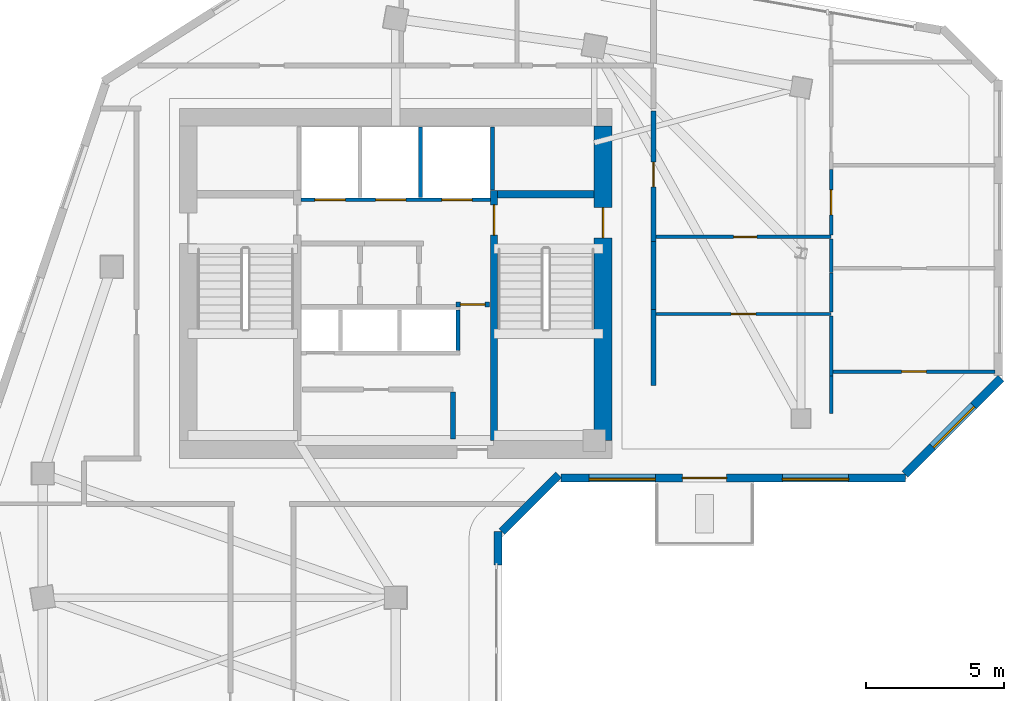
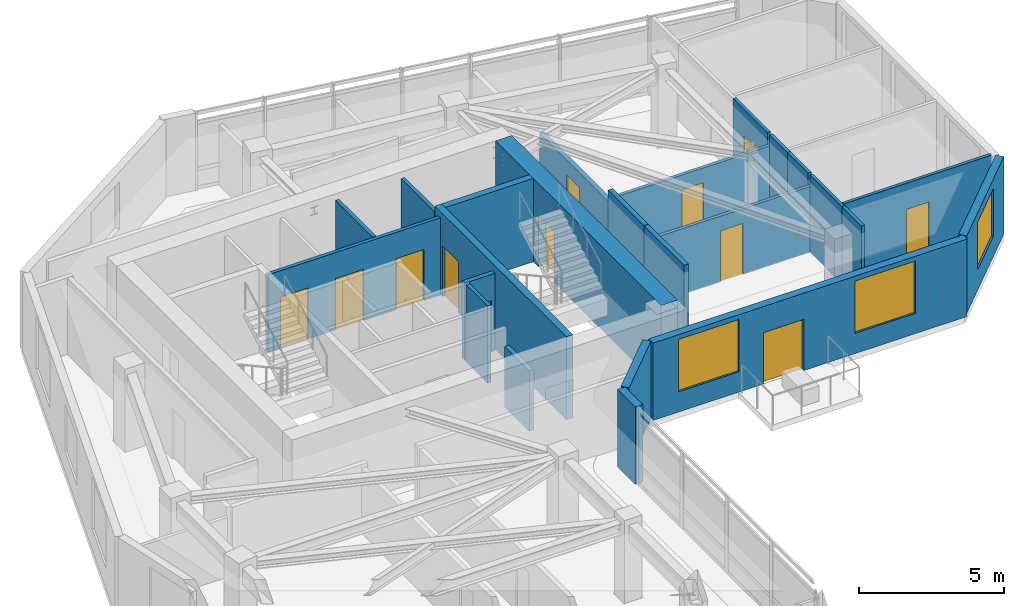
# One storey, part 5 of 9: 24 walls, 12 doors, 3 windows, 15 openings.
"""IFC4 building model written with IfcOpenShell, lengths in metres."""

from ifc_helpers import new_model, si_unit, direction, frame, frame_2d, origin, place, context, subcontext, project, spatial, rectangle, extrude, source, transform, mapped, material, layer, layer_set, type_object, element, fill, save


model = new_model("IFC4")

# Units and contexts
model_context = context("Model", 3, precision=1e-05, world=origin(), true_north=direction((0.0, 1.0)))
body_context = subcontext(model_context, "Body", "Model", "MODEL_VIEW")
ifc_project = project(units=[si_unit("LENGTHUNIT", "METRE"), si_unit("AREAUNIT", "SQUARE_METRE"), si_unit("VOLUMEUNIT", "CUBIC_METRE"), si_unit("PLANEANGLEUNIT", "RADIAN"), si_unit("MASSUNIT", "GRAM", prefix="KILO")], contexts=[model_context])

# Site, building, storey
site_placement = place(None, origin())
site = spatial("IfcSite", under=ifc_project, at=site_placement, CompositionType="ELEMENT")
building_placement = place(site_placement, origin())
building = spatial("IfcBuilding", under=site, at=building_placement, Name="Calvemar Wedge Station Tower", CompositionType="ELEMENT")
storey_placement = place(building_placement, frame((0.0, 0.0, 228.89990234375)))
storey = spatial("IfcBuildingStorey", under=building, at=storey_placement, Name="L58", CompositionType="ELEMENT", Elevation=228.89990234375)

# Wall, opening, door
ifc_material_1 = material(Name="Concrete C50", Category="concrete")
ifc_layer_1 = layer(ifc_material_1, 0.260009765625)
ifc_layer_set_1 = layer_set([ifc_layer_1], Name="Concrete C50")
wall_type_1 = type_object("IfcWallType", Name="SW-CORE-260", PredefinedType="SHEAR", material=ifc_layer_set_1)
wall_1_placement = place(storey_placement, frame((27.3701171875, 34.199951171875, 0.0), z_axis=(0.0, 0.0, 1.0), x_axis=(0.0, 1.0, 0.0)))
wall_1 = element("IfcWall", 1, at=wall_1_placement, inside=storey, type_object=wall_type_1, Name="Storey L58 Core Shear Wall SPINE-E", PredefinedType="SHEAR", context=body_context, shape_type="SweptSolid", body=[
    extrude(rectangle(XDim=9.06005859375, YDim=0.260009765625, at=frame_2d((4.530029296875, 0.0))), origin(), (0.0, 0.0, 1.0), 3.5),
])
shared_shape_1 = source(origin(), body_context, "Body", "SweptSolid", [
    extrude(rectangle(XDim=1.10009765625, YDim=2.14990234375, at=frame_2d((0.550048828125, 1.074951171875))), frame((0.0, 0.14013671875, 0.0), z_axis=(0.0, -1.0, 0.0), x_axis=(1.0, 0.0, 0.0)), (0.0, 0.0, 1.0), 0.280029296875),
])
opening_1_placement = place(wall_1_placement, frame((7.449951171875, 0.0, 0.0)))
opening_1 = element("IfcOpeningElement", 2, at=opening_1_placement, cuts=wall_1, Name="Opening FD-90", PredefinedType="OPENING", context=body_context, shape_type="MappedRepresentation", body=[
    mapped(shared_shape_1, transform((0.0, 0.0, 0.0), scale=1.0)),
])
ifc_material_2 = material(Name="Galvanized fire-rated steel door leaf P-90", Category="steel")
door_type_1 = type_object("IfcDoorType", Name="DR-FD90-1100", OperationType="NOTDEFINED", PredefinedType="DOOR", material=ifc_material_2)
shared_shape_2 = source(origin(), body_context, "Body", "SweptSolid", [
    extrude(rectangle(XDim=1.10009765625, YDim=2.14990234375, at=frame_2d((0.550048828125, 1.074951171875))), frame((0.0, 0.02490234375, 0.0), z_axis=(0.0, -1.0, 0.0), x_axis=(1.0, 0.0, 0.0)), (0.0, 0.0, 1.0), 0.050048828125),
])
door_1_placement = place(opening_1_placement, origin())
door_1 = element("IfcDoor", 3, at=door_1_placement, inside=storey, type_object=door_type_1, Name="L58 FF Lobby to Stair ST-C2 Door", OperationType="SINGLE_SWING_LEFT", OverallHeight=2.14990234375, OverallWidth=1.10009765625, PredefinedType="DOOR", context=body_context, shape_type="MappedRepresentation", body=[
    mapped(shared_shape_2, transform((0.0, 0.0, 0.0), scale=1.0)),
])
fill(opening_1, door_1)

# Wall
wall_2_placement = place(storey_placement, frame((27.5, 43.1298828125, 0.0), z_axis=(0.0, 0.0, 1.0), x_axis=(1.0, 0.0, 0.0)))
element("IfcWall", 4, at=wall_2_placement, inside=storey, type_object=wall_type_1, Name="Storey L58 Core Shear Wall STC2-N", PredefinedType="SHEAR", context=body_context, shape_type="SweptSolid", body=[
    extrude(rectangle(XDim=3.5, YDim=0.260009765625, at=frame_2d((1.75, 0.0))), origin(), (0.0, 0.0, 1.0), 3.5),
])

# Wall, opening, door
ifc_material_3 = material(Name="Concrete C60", Category="concrete")
ifc_layer_2 = layer(ifc_material_3, 0.64990234375)
ifc_layer_set_2 = layer_set([ifc_layer_2], Name="Concrete C60")
wall_type_2 = type_object("IfcWallType", Name="SW-CORE-650", PredefinedType="SHEAR", material=ifc_layer_set_2)
wall_3_placement = place(storey_placement, frame((31.324951171875, 34.199951171875, 0.0), z_axis=(0.0, 0.0, 1.0), x_axis=(0.0, 1.0, 0.0)))
wall_3 = element("IfcWall", 5, at=wall_3_placement, inside=storey, type_object=wall_type_2, Name="Storey L58 Core Shear Wall E", PredefinedType="SHEAR", context=body_context, shape_type="SweptSolid", body=[
    extrude(rectangle(XDim=11.400146484375, YDim=0.64990234375, at=frame_2d((5.7001953125, 0.0))), origin(), (0.0, 0.0, 1.0), 3.5),
])
shared_shape_3 = source(origin(), body_context, "Body", "SweptSolid", [
    extrude(rectangle(XDim=1.10009765625, YDim=2.14990234375, at=frame_2d((0.550048828125, 1.074951171875))), frame((0.0, 0.3349609375, 0.0), z_axis=(0.0, -1.0, 0.0), x_axis=(1.0, 0.0, 0.0)), (0.0, 0.0, 1.0), 0.669921875),
])
opening_2_placement = place(wall_3_placement, frame((7.35009765625, 0.0, 0.0)))
opening_2 = element("IfcOpeningElement", 6, at=opening_2_placement, cuts=wall_3, Name="Opening FD-90", PredefinedType="OPENING", context=body_context, shape_type="MappedRepresentation", body=[
    mapped(shared_shape_3, transform((0.0, 0.0, 0.0), scale=1.0)),
])
door_2_placement = place(opening_2_placement, origin())
door_2 = element("IfcDoor", 7, at=door_2_placement, inside=storey, type_object=door_type_1, Name="L58 East Corridor to Exit Stair ST-C2 Door", OperationType="SINGLE_SWING_LEFT", OverallHeight=2.14990234375, OverallWidth=1.10009765625, PredefinedType="DOOR", context=body_context, shape_type="MappedRepresentation", body=[
    mapped(shared_shape_2, transform((0.0, 0.0, 0.0), scale=1.0)),
])
fill(opening_2, door_2)

ifc_material_4 = material(Name="Double-stud fire-rated corridor partition")
ifc_layer_3 = layer(ifc_material_4, 0.179931640625)
ifc_layer_set_3 = layer_set([ifc_layer_3], Name="Double-stud fire-rated corridor partition")
wall_type_3 = type_object("IfcWallType", Name="W-CORR-180", PredefinedType="PARTITIONING", material=ifc_layer_set_3)
wall_4_placement = place(storey_placement, frame((27.199951171875, 39.1298828125, 0.0), z_axis=(0.0, 0.0, 1.0), x_axis=(-1.0, 0.0, 0.0)))
wall_4 = element("IfcWall", 8, at=wall_4_placement, inside=storey, type_object=wall_type_3, Name="Storey L58 Interior Partition WL-L58-005", PredefinedType="PARTITIONING", context=body_context, shape_type="SweptSolid", body=[
    extrude(rectangle(XDim=1.2099609375, YDim=0.179931640625, at=frame_2d((0.60498046875, 0.0))), origin(), (0.0, 0.0, 1.0), 3.25),
])
shared_shape_4 = source(origin(), body_context, "Body", "SweptSolid", [
    extrude(rectangle(XDim=0.89990234375, YDim=2.14990234375, at=frame_2d((0.449951171875, 1.074951171875))), frame((0.0, 0.10009765625, 0.0), z_axis=(0.0, -1.0, 0.0), x_axis=(1.0, 0.0, 0.0)), (0.0, 0.0, 1.0), 0.199951171875),
])
opening_3_placement = place(wall_4_placement, frame((0.155029296875, 0.0, 0.0)))
opening_3 = element("IfcOpeningElement", 9, at=opening_3_placement, cuts=wall_4, Name="Opening FD-60", PredefinedType="OPENING", context=body_context, shape_type="MappedRepresentation", body=[
    mapped(shared_shape_4, transform((0.0, 0.0, 0.0), scale=1.0)),
])
ifc_material_5 = material(Name="Fire-rated acoustic timber-core entrance door EI 60", Category="wood")
door_type_2 = type_object("IfcDoorType", Name="DR-FD60-900", OperationType="NOTDEFINED", PredefinedType="DOOR", material=ifc_material_5)
shared_shape_5 = source(origin(), body_context, "Body", "SweptSolid", [
    extrude(rectangle(XDim=0.89990234375, YDim=2.14990234375, at=frame_2d((0.449951171875, 1.074951171875))), frame((0.0, 0.02490234375, 0.0), z_axis=(0.0, -1.0, 0.0), x_axis=(1.0, 0.0, 0.0)), (0.0, 0.0, 1.0), 0.050048828125),
])
door_3_placement = place(opening_3_placement, origin())
door_3 = element("IfcDoor", 10, at=door_3_placement, inside=storey, type_object=door_type_2, Name="L58 Core Service Lobby Door", OperationType="SINGLE_SWING_LEFT", OverallHeight=2.14990234375, OverallWidth=0.89990234375, PredefinedType="DOOR", context=body_context, shape_type="MappedRepresentation", body=[
    mapped(shared_shape_5, transform((0.0, 0.0, 0.0), scale=1.0)),
])
fill(opening_3, door_3)

# Walls
wall_5_placement = place(storey_placement, frame((25.8798828125, 35.9560546875, 0.0), z_axis=(0.0, 0.0, 1.0), x_axis=(0.0, -1.0, 0.0)))
element("IfcWall", 11, at=wall_5_placement, inside=storey, type_object=wall_type_3, Name="Storey L58 Interior Partition WL-L58-007", PredefinedType="PARTITIONING", context=body_context, shape_type="SweptSolid", body=[
    extrude(rectangle(XDim=1.7060546875, YDim=0.179931640625, at=frame_2d((0.85302734375, 0.0))), origin(), (0.0, 0.0, 1.0), 2.5419921875),
])
wall_6_placement = place(storey_placement, frame((33.14990234375, 38.947998046875, 0.0), z_axis=(0.0, 0.0, 1.0), x_axis=(0.0, -1.0, 0.0)))
element("IfcWall", 12, at=wall_6_placement, inside=storey, type_object=wall_type_3, Name="Storey L58 Interior Partition WL-L58-018", PredefinedType="PARTITIONING", context=body_context, shape_type="SweptSolid", body=[
    extrude(rectangle(XDim=2.748046875, YDim=0.179931640625, at=frame_2d((1.3740234375, 0.0))), origin(), (0.0, 0.0, 1.0), 3.25),
])

# Wall, opening, door
wall_7_placement = place(storey_placement, frame((33.14990234375, 46.156005859375, 0.0), z_axis=(0.0, 0.0, 1.0), x_axis=(0.0, -1.0, 0.0)))
wall_7 = element("IfcWall", 13, at=wall_7_placement, inside=storey, type_object=wall_type_3, Name="Storey L58 Interior Partition WL-L58-019", PredefinedType="PARTITIONING", context=body_context, shape_type="SweptSolid", body=[
    extrude(rectangle(XDim=4.73291015625, YDim=0.179931640625, at=frame_2d((2.366455078125, 0.0))), origin(), (0.0, 0.0, 1.0), 2.779052734375),
])
opening_4_placement = place(wall_7_placement, frame((1.85595703125, 0.0, 0.0)))
opening_4 = element("IfcOpeningElement", 14, at=opening_4_placement, cuts=wall_7, Name="Opening FD-60", PredefinedType="OPENING", context=body_context, shape_type="MappedRepresentation", body=[
    mapped(shared_shape_4, transform((0.0, 0.0, 0.0), scale=1.0)),
])
door_4_placement = place(opening_4_placement, origin())
door_4 = element("IfcDoor", 15, at=door_4_placement, inside=storey, type_object=door_type_2, Name="L58 Living Dining Door", OperationType="SINGLE_SWING_RIGHT", OverallHeight=2.14990234375, OverallWidth=0.89990234375, PredefinedType="DOOR", context=body_context, shape_type="MappedRepresentation", body=[
    mapped(shared_shape_5, transform((0.0, 0.0, 0.0), scale=1.0)),
])
fill(opening_4, door_4)

# Walls
wall_8_placement = place(storey_placement, frame((33.14990234375, 41.4208984375, 0.0), z_axis=(0.0, 0.0, 1.0), x_axis=(0.0, -1.0, 0.0)))
element("IfcWall", 16, at=wall_8_placement, inside=storey, type_object=wall_type_3, Name="Storey L58 Interior Partition WL-L58-020", PredefinedType="PARTITIONING", context=body_context, shape_type="SweptSolid", body=[
    extrude(rectangle(XDim=2.470947265625, YDim=0.179931640625, at=frame_2d((1.2353515625, 0.0))), origin(), (0.0, 0.0, 1.0), 3.25),
])
ifc_material_6 = material(Name="Precast concrete C45", Category="concrete")
ifc_layer_4 = layer(ifc_material_6, 0.300048828125)
ifc_layer_set_4 = layer_set([ifc_layer_4], Name="Precast concrete C45")
wall_type_4 = type_object("IfcWallType", Name="W-EXT-GFRC-300", PredefinedType="SOLIDWALL", material=ifc_layer_set_4)
wall_9_placement = place(storey_placement, frame((27.513916015625, 29.676513671875, 0.0), z_axis=(0.0, 0.0, 1.0), x_axis=(0.0, 1.0, 0.0)))
element("IfcWall", 17, at=wall_9_placement, inside=storey, type_object=wall_type_4, Name="Storey L58 Bronze GFRC Corner Pier 4B", PredefinedType="SOLIDWALL", context=body_context, shape_type="SweptSolid", body=[
    extrude(rectangle(XDim=1.2275390625, YDim=0.300048828125, at=frame_2d((0.61376953125, 0.0))), origin(), (0.0, 0.0, 1.0), 3.25),
])
wall_10_placement = place(storey_placement, frame((27.652099609375, 30.89208984375, 0.0), z_axis=(0.0, 0.0, 1.0), x_axis=(0.707106781187, 0.707106781187, 0.0)))
element("IfcWall", 18, at=wall_10_placement, inside=storey, type_object=wall_type_4, Name="Storey L58 Bronze GFRC Exterior Wall 5", PredefinedType="SOLIDWALL", context=body_context, shape_type="SweptSolid", body=[
    extrude(rectangle(XDim=2.907470703125, YDim=0.300048828125, at=frame_2d((1.45361328125, 0.0))), origin(), (0.0, 0.0, 1.0), 3.25),
])

# Wall, openings, windows, door
wall_11_placement = place(storey_placement, frame((29.797119140625, 32.842041015625, 0.0), z_axis=(0.0, 0.0, 1.0), x_axis=(1.0, 0.0, 0.0)))
wall_11 = element("IfcWall", 19, at=wall_11_placement, inside=storey, type_object=wall_type_4, Name="Storey L58 Bronze GFRC Exterior Wall 6", PredefinedType="SOLIDWALL", context=body_context, shape_type="SweptSolid", body=[
    extrude(rectangle(XDim=12.49072265625, YDim=0.300048828125, at=frame_2d((6.245361328125, 0.0))), origin(), (0.0, 0.0, 1.0), 3.25),
])
shared_shape_6 = source(origin(), body_context, "Body", "SweptSolid", [
    extrude(rectangle(XDim=1.60009765625, YDim=2.14990234375, at=frame_2d((0.800048828125, 1.074951171875))), frame((0.0, 0.16015625, 0.0), z_axis=(0.0, -1.0, 0.0), x_axis=(1.0, 0.0, 0.0)), (0.0, 0.0, 1.0), 0.320068359375),
])
opening_5_placement = place(wall_11_placement, frame((4.403076171875, 0.0, 0.0)))
opening_5 = element("IfcOpeningElement", 20, at=opening_5_placement, cuts=wall_11, Name="Opening DT1", PredefinedType="OPENING", context=body_context, shape_type="MappedRepresentation", body=[
    mapped(shared_shape_6, transform((0.0, 0.0, 0.0), scale=1.0)),
])
shared_shape_7 = source(origin(), body_context, "Body", "SweptSolid", [
    extrude(rectangle(XDim=2.39990234375, YDim=2.199951171875, at=frame_2d((1.199951171875, 1.10009765625))), frame((0.0, 0.16015625, 0.0), z_axis=(0.0, -1.0, 0.0), x_axis=(1.0, 0.0, 0.0)), (0.0, 0.0, 1.0), 0.320068359375),
])
opening_6_placement = place(wall_11_placement, frame((1.02099609375, 0.0, 0.85009765625)))
opening_6 = element("IfcOpeningElement", 21, at=opening_6_placement, cuts=wall_11, Name="Opening W1", PredefinedType="OPENING", context=body_context, shape_type="MappedRepresentation", body=[
    mapped(shared_shape_7, transform((0.0, 0.0, 0.0), scale=1.0)),
])
opening_7_placement = place(wall_11_placement, frame((8.027099609375, 0.0, 0.85009765625)))
opening_7 = element("IfcOpeningElement", 22, at=opening_7_placement, cuts=wall_11, Name="Opening W1", PredefinedType="OPENING", context=body_context, shape_type="MappedRepresentation", body=[
    mapped(shared_shape_7, transform((0.0, 0.0, 0.0), scale=1.0)),
])
ifc_material_7 = material(Name="Low-E laminated insulated glass", Category="glass")
window_type_1 = type_object("IfcWindowType", Name="WIN-EXT-1", PartitioningType="SINGLE_PANEL", PredefinedType="WINDOW", material=ifc_material_7)
shared_shape_8 = source(origin(), body_context, "Body", "SweptSolid", [
    extrude(rectangle(XDim=2.39990234375, YDim=2.199951171875, at=frame_2d((1.199951171875, 1.10009765625))), frame((0.0, -0.014892578125, 0.0), z_axis=(0.0, -1.0, 0.0), x_axis=(1.0, 0.0, 0.0)), (0.0, 0.0, 1.0), 0.06005859375),
])
window_1_placement = place(opening_6_placement, origin())
window_1 = element("IfcWindow", 23, at=window_1_placement, inside=storey, type_object=window_type_1, Name="Storey L58 Recessed Window 6.1", OverallHeight=2.199951171875, OverallWidth=2.39990234375, PartitioningType="SINGLE_PANEL", PredefinedType="WINDOW", context=body_context, shape_type="MappedRepresentation", body=[
    mapped(shared_shape_8, transform((0.0, 0.0, 0.0), scale=1.0)),
])
fill(opening_6, window_1)
window_2_placement = place(opening_7_placement, origin())
window_2 = element("IfcWindow", 24, at=window_2_placement, inside=storey, type_object=window_type_1, Name="Storey L58 Recessed Window 6.2", OverallHeight=2.199951171875, OverallWidth=2.39990234375, PartitioningType="SINGLE_PANEL", PredefinedType="WINDOW", context=body_context, shape_type="MappedRepresentation", body=[
    mapped(shared_shape_8, transform((0.0, 0.0, 0.0), scale=1.0)),
])
fill(opening_7, window_2)
ifc_material_8 = material(Name="Anodised aluminium 6063-T6", Category="aluminium")
door_type_3 = type_object("IfcDoorType", Name="DR-TERR-1600", OperationType="DOUBLE_DOOR_SLIDING", PredefinedType="DOOR", material=ifc_material_8)
shared_shape_9 = source(origin(), body_context, "Body", "SweptSolid", [
    extrude(rectangle(XDim=1.60009765625, YDim=2.14990234375, at=frame_2d((0.800048828125, 1.074951171875))), frame((0.0, 0.02490234375, 0.0), z_axis=(0.0, -1.0, 0.0), x_axis=(1.0, 0.0, 0.0)), (0.0, 0.0, 1.0), 0.050048828125),
])
door_5_placement = place(opening_5_placement, origin())
door_5 = element("IfcDoor", 25, at=door_5_placement, inside=storey, type_object=door_type_3, Name="Storey L58 Spiral Terrace Door", OperationType="DOUBLE_DOOR_SLIDING", OverallHeight=2.14990234375, OverallWidth=1.60009765625, PredefinedType="DOOR", context=body_context, shape_type="MappedRepresentation", body=[
    mapped(shared_shape_9, transform((0.0, 0.0, 0.0), scale=1.0)),
])
fill(opening_5, door_5)

# Wall, opening, window
wall_12_placement = place(storey_placement, frame((42.27587890625, 32.97998046875, 0.0), z_axis=(0.0, 0.0, 1.0), x_axis=(0.707106781187, 0.707106781187, 0.0)))
wall_12 = element("IfcWall", 26, at=wall_12_placement, inside=storey, type_object=wall_type_4, Name="Storey L58 Bronze GFRC Exterior Wall 7", PredefinedType="SOLIDWALL", context=body_context, shape_type="SweptSolid", body=[
    extrude(rectangle(XDim=4.921875, YDim=0.300048828125, at=frame_2d((2.4609375, 0.0))), origin(), (0.0, 0.0, 1.0), 3.25),
])
shared_shape_10 = source(origin(), body_context, "Body", "SweptSolid", [
    extrude(rectangle(XDim=2.10009765625, YDim=2.0, at=frame_2d((1.050048828125, 1.0))), frame((0.0, 0.16015625, 0.0), z_axis=(0.0, -1.0, 0.0), x_axis=(1.0, 0.0, 0.0)), (0.0, 0.0, 1.0), 0.320068359375),
])
opening_8_placement = place(wall_12_placement, frame((1.410888671875, 0.0, 0.85009765625)))
opening_8 = element("IfcOpeningElement", 27, at=opening_8_placement, cuts=wall_12, Name="Opening W4", PredefinedType="OPENING", context=body_context, shape_type="MappedRepresentation", body=[
    mapped(shared_shape_10, transform((0.0, 0.0, 0.0), scale=1.0)),
])
window_type_2 = type_object("IfcWindowType", Name="WIN-EXT-4", PartitioningType="SINGLE_PANEL", PredefinedType="WINDOW", material=ifc_material_7)
shared_shape_11 = source(origin(), body_context, "Body", "SweptSolid", [
    extrude(rectangle(XDim=2.10009765625, YDim=2.0, at=frame_2d((1.050048828125, 1.0))), frame((0.0, -0.014892578125, 0.0), z_axis=(0.0, -1.0, 0.0), x_axis=(1.0, 0.0, 0.0)), (0.0, 0.0, 1.0), 0.06005859375),
])
window_3_placement = place(opening_8_placement, origin())
window_3 = element("IfcWindow", 28, at=window_3_placement, inside=storey, type_object=window_type_2, Name="Storey L58 Recessed Window 7.1", OverallHeight=2.0, OverallWidth=2.10009765625, PartitioningType="SINGLE_PANEL", PredefinedType="WINDOW", context=body_context, shape_type="MappedRepresentation", body=[
    mapped(shared_shape_11, transform((0.0, 0.0, 0.0), scale=1.0)),
])
fill(opening_8, window_3)

# Wall, openings, doors
ifc_material_9 = material(Name="Reinforced concrete blockwork lift shaft wall", Category="masonry")
ifc_layer_5 = layer(ifc_material_9, 0.139892578125)
ifc_layer_set_5 = layer_set([ifc_layer_5], Name="Reinforced concrete blockwork lift shaft wall")
wall_type_5 = type_object("IfcWallType", Name="W-LIFT-160", PredefinedType="SOLIDWALL", material=ifc_layer_set_5)
wall_13_placement = place(storey_placement, frame((20.3701171875, 42.929931640625, 0.0), z_axis=(0.0, 0.0, 1.0), x_axis=(1.0, 0.0, 0.0)))
wall_13 = element("IfcWall", 29, at=wall_13_placement, inside=storey, type_object=wall_type_5, Name="Storey L58 Firefighting and Service Lift Shaft Front Wall", PredefinedType="SOLIDWALL", context=body_context, shape_type="SweptSolid", body=[
    extrude(rectangle(XDim=6.85986328125, YDim=0.139892578125, at=frame_2d((3.429931640625, 0.0))), origin(), (0.0, 0.0, 1.0), 3.25),
])
shared_shape_12 = source(origin(), body_context, "Body", "SweptSolid", [
    extrude(rectangle(XDim=1.10009765625, YDim=2.14990234375, at=frame_2d((0.550048828125, 1.074951171875))), frame((0.0, 0.080078125, 0.0), z_axis=(0.0, -1.0, 0.0), x_axis=(1.0, 0.0, 0.0)), (0.0, 0.0, 1.0), 0.159912109375),
])
opening_9_placement = place(wall_13_placement, frame((0.5, 0.0, 0.0)))
opening_9 = element("IfcOpeningElement", 30, at=opening_9_placement, cuts=wall_13, Name="Opening LD-FF", PredefinedType="OPENING", context=body_context, shape_type="MappedRepresentation", body=[
    mapped(shared_shape_12, transform((0.0, 0.0, 0.0), scale=1.0)),
])
opening_10_placement = place(wall_13_placement, frame((2.699951171875, 0.0, 0.0)))
opening_10 = element("IfcOpeningElement", 31, at=opening_10_placement, cuts=wall_13, Name="Opening LD-FF", PredefinedType="OPENING", context=body_context, shape_type="MappedRepresentation", body=[
    mapped(shared_shape_12, transform((0.0, 0.0, 0.0), scale=1.0)),
])
opening_11_placement = place(wall_13_placement, frame((5.10009765625, 0.0, 0.0)))
opening_11 = element("IfcOpeningElement", 32, at=opening_11_placement, cuts=wall_13, Name="Opening LD-STN", PredefinedType="OPENING", context=body_context, shape_type="MappedRepresentation", body=[
    mapped(shared_shape_12, transform((0.0, 0.0, 0.0), scale=1.0)),
])
ifc_material_10 = material(Name="Stainless steel firefighting lift sliding landing door", Category="steel")
door_type_4 = type_object("IfcDoorType", Name="DR-LD-FF-1100", OperationType="SLIDING_TO_LEFT", PredefinedType="DOOR", material=ifc_material_10)
shared_shape_13 = source(origin(), body_context, "Body", "SweptSolid", [
    extrude(rectangle(XDim=1.10009765625, YDim=2.14990234375, at=frame_2d((0.550048828125, 1.074951171875))), frame((0.0, 0.02490234375, 0.0), z_axis=(0.0, -1.0, 0.0), x_axis=(1.0, 0.0, 0.0)), (0.0, 0.0, 1.0), 0.050048828125),
])
door_6_placement = place(opening_9_placement, origin())
door_6 = element("IfcDoor", 33, at=door_6_placement, inside=storey, type_object=door_type_4, Name="L58 Lift FF-01 Sliding Landing Door", OperationType="SLIDING_TO_LEFT", OverallHeight=2.14990234375, OverallWidth=1.10009765625, PredefinedType="DOOR", context=body_context, shape_type="MappedRepresentation", body=[
    mapped(shared_shape_13, transform((0.0, 0.0, 0.0), scale=1.0)),
])
fill(opening_9, door_6)
door_7_placement = place(opening_10_placement, origin())
door_7 = element("IfcDoor", 34, at=door_7_placement, inside=storey, type_object=door_type_4, Name="L58 Lift FF-02 Sliding Landing Door", OperationType="SLIDING_TO_RIGHT", OverallHeight=2.14990234375, OverallWidth=1.10009765625, PredefinedType="DOOR", context=body_context, shape_type="MappedRepresentation", body=[
    mapped(shared_shape_13, transform((0.0, 0.0, 0.0), scale=1.0)),
])
fill(opening_10, door_7)
ifc_material_11 = material(Name="Stainless steel transit lift sliding landing door", Category="steel")
door_type_5 = type_object("IfcDoorType", Name="DR-LD-PAX-1100", OperationType="SLIDING_TO_LEFT", PredefinedType="DOOR", material=ifc_material_11)
shared_shape_14 = source(origin(), body_context, "Body", "SweptSolid", [
    extrude(rectangle(XDim=1.10009765625, YDim=2.14990234375, at=frame_2d((0.550048828125, 1.074951171875))), frame((0.0, 0.02490234375, 0.0), z_axis=(0.0, -1.0, 0.0), x_axis=(1.0, 0.0, 0.0)), (0.0, 0.0, 1.0), 0.050048828125),
])
door_8_placement = place(opening_11_placement, origin())
door_8 = element("IfcDoor", 35, at=door_8_placement, inside=storey, type_object=door_type_5, Name="L58 Lift SV-01 Sliding Landing Door", OperationType="SLIDING_TO_LEFT", OverallHeight=2.14990234375, OverallWidth=1.10009765625, PredefinedType="DOOR", context=body_context, shape_type="MappedRepresentation", body=[
    mapped(shared_shape_14, transform((0.0, 0.0, 0.0), scale=1.0)),
])
fill(opening_11, door_8)

# Walls
wall_14_placement = place(storey_placement, frame((27.31005859375, 43.280029296875, 0.0), z_axis=(0.0, 0.0, 1.0), x_axis=(0.0, 1.0, 0.0)))
element("IfcWall", 36, at=wall_14_placement, inside=storey, type_object=wall_type_5, Name="Storey L58 Firefighting Lift Shaft Enclosure Wall E", PredefinedType="SOLIDWALL", context=body_context, shape_type="SweptSolid", body=[
    extrude(rectangle(XDim=2.300048828125, YDim=0.139892578125, at=frame_2d((1.14990234375, 0.0))), origin(), (0.0, 0.0, 1.0), 3.25),
])
wall_15_placement = place(storey_placement, frame((24.699951171875, 43.02001953125, 0.0), z_axis=(0.0, 0.0, 1.0), x_axis=(0.0, 1.0, 0.0)))
element("IfcWall", 37, at=wall_15_placement, inside=storey, type_object=wall_type_5, Name="Storey L58 Firefighting Lift Shaft Enclosure Wall D2", PredefinedType="SOLIDWALL", context=body_context, shape_type="SweptSolid", body=[
    extrude(rectangle(XDim=2.56005859375, YDim=0.139892578125, at=frame_2d((1.280029296875, 0.0))), origin(), (0.0, 0.0, 1.0), 3.25),
])
wall_16_placement = place(storey_placement, frame((26.06005859375, 37.4599609375, 0.0), z_axis=(0.0, 0.0, 1.0), x_axis=(0.0, 1.0, 0.0)))
element("IfcWall", 38, at=wall_16_placement, inside=storey, type_object=wall_type_5, Name="Storey L58 Upper Passenger Lift Shaft Wall E", PredefinedType="SOLIDWALL", context=body_context, shape_type="SweptSolid", body=[
    extrude(rectangle(XDim=1.47998046875, YDim=0.139892578125, at=frame_2d((0.739990234375, 0.0))), origin(), (0.0, 0.0, 1.0), 3.25),
])

# Wall, opening, door
ifc_material_12 = material(Name="Insulated acoustic gypsum stud partition")
ifc_layer_6 = layer(ifc_material_12, 0.125)
ifc_layer_set_6 = layer_set([ifc_layer_6], Name="Insulated acoustic gypsum stud partition")
wall_type_6 = type_object("IfcWallType", Name="W-PART-125", PredefinedType="PARTITIONING", material=ifc_layer_set_6)
wall_17_placement = place(storey_placement, frame((33.243896484375, 38.7880859375, 0.0), z_axis=(0.0, 0.0, 1.0), x_axis=(1.0, 0.0, 0.0)))
wall_17 = element("IfcWall", 39, at=wall_17_placement, inside=storey, type_object=wall_type_6, Name="Storey L58 Interior Partition WL-L58-025", PredefinedType="PARTITIONING", context=body_context, shape_type="SweptSolid", body=[
    extrude(rectangle(XDim=6.34619140625, YDim=0.125, at=frame_2d((3.173095703125, 0.0))), origin(), (0.0, 0.0, 1.0), 2.76611328125),
])
shared_shape_15 = source(origin(), body_context, "Body", "SweptSolid", [
    extrude(rectangle(XDim=0.89990234375, YDim=2.14990234375, at=frame_2d((0.449951171875, 1.074951171875))), frame((0.0, 0.072509765625, 0.0), z_axis=(0.0, -1.0, 0.0), x_axis=(1.0, 0.0, 0.0)), (0.0, 0.0, 1.0), 0.14501953125),
])
opening_12_placement = place(wall_17_placement, frame((2.722900390625, 0.0, 0.0)))
opening_12 = element("IfcOpeningElement", 40, at=opening_12_placement, cuts=wall_17, Name="Opening D-01", PredefinedType="OPENING", context=body_context, shape_type="MappedRepresentation", body=[
    mapped(shared_shape_15, transform((0.0, 0.0, 0.0), scale=1.0)),
])
ifc_material_13 = material(Name="Architectural hardwood acoustic swing door", Category="wood")
door_type_6 = type_object("IfcDoorType", Name="DR-INT-900", OperationType="NOTDEFINED", PredefinedType="DOOR", material=ifc_material_13)
shared_shape_16 = source(origin(), body_context, "Body", "SweptSolid", [
    extrude(rectangle(XDim=0.89990234375, YDim=2.14990234375, at=frame_2d((0.449951171875, 1.074951171875))), frame((0.0, 0.02490234375, 0.0), z_axis=(0.0, -1.0, 0.0), x_axis=(1.0, 0.0, 0.0)), (0.0, 0.0, 1.0), 0.050048828125),
])
door_9_placement = place(opening_12_placement, origin())
door_9 = element("IfcDoor", 41, at=door_9_placement, inside=storey, type_object=door_type_6, Name="L58 Study Door", OperationType="SINGLE_SWING_LEFT", OverallHeight=2.14990234375, OverallWidth=0.89990234375, PredefinedType="DOOR", context=body_context, shape_type="MappedRepresentation", body=[
    mapped(shared_shape_16, transform((0.0, 0.0, 0.0), scale=1.0)),
])
fill(opening_12, door_9)

# Walls
wall_18_placement = place(storey_placement, frame((39.590087890625, 38.721435546875, 0.0), z_axis=(0.0, 0.0, 1.0), x_axis=(0.0, -1.0, 0.0)))
element("IfcWall", 42, at=wall_18_placement, inside=storey, type_object=wall_type_6, Name="Storey L58 Interior Partition WL-L58-026", PredefinedType="PARTITIONING", context=body_context, shape_type="SweptSolid", body=[
    extrude(rectangle(XDim=2.180419921875, YDim=0.125, at=frame_2d((1.09033203125, 0.0))), origin(), (0.0, 0.0, 1.0), 3.25),
])
wall_19_placement = place(storey_placement, frame((39.590087890625, 36.5390625, 0.0), z_axis=(0.0, 0.0, 1.0), x_axis=(0.0, -1.0, 0.0)))
element("IfcWall", 43, at=wall_19_placement, inside=storey, type_object=wall_type_6, Name="Storey L58 Interior Partition WL-L58-027", PredefinedType="PARTITIONING", context=body_context, shape_type="SweptSolid", body=[
    extrude(rectangle(XDim=1.35107421875, YDim=0.125, at=frame_2d((0.675537109375, 0.0))), origin(), (0.0, 0.0, 1.0), 3.25),
])

# Wall, opening, door
wall_20_placement = place(storey_placement, frame((39.590087890625, 41.5830078125, 0.0), z_axis=(0.0, 0.0, 1.0), x_axis=(-1.0, 0.0, 0.0)))
wall_20 = element("IfcWall", 44, at=wall_20_placement, inside=storey, type_object=wall_type_6, Name="Storey L58 Interior Partition WL-L58-028", PredefinedType="PARTITIONING", context=body_context, shape_type="SweptSolid", body=[
    extrude(rectangle(XDim=6.34619140625, YDim=0.125, at=frame_2d((3.173095703125, 0.0))), origin(), (0.0, 0.0, 1.0), 2.76611328125),
])
shared_shape_17 = source(origin(), body_context, "Body", "SweptSolid", [
    extrude(rectangle(XDim=0.85009765625, YDim=2.14990234375, at=frame_2d((0.425048828125, 1.074951171875))), frame((0.0, 0.072509765625, 0.0), z_axis=(0.0, -1.0, 0.0), x_axis=(1.0, 0.0, 0.0)), (0.0, 0.0, 1.0), 0.14501953125),
])
opening_13_placement = place(wall_20_placement, frame((2.687744140625, 0.0, 0.0)))
opening_13 = element("IfcOpeningElement", 45, at=opening_13_placement, cuts=wall_20, Name="Opening D-02", PredefinedType="OPENING", context=body_context, shape_type="MappedRepresentation", body=[
    mapped(shared_shape_17, transform((0.0, 0.0, 0.0), scale=1.0)),
])
ifc_material_14 = material(Name="Moisture-sealed bathroom hardwood swing door", Category="wood")
door_type_7 = type_object("IfcDoorType", Name="DR-WET-850", OperationType="NOTDEFINED", PredefinedType="DOOR", material=ifc_material_14)
shared_shape_18 = source(origin(), body_context, "Body", "SweptSolid", [
    extrude(rectangle(XDim=0.85009765625, YDim=2.14990234375, at=frame_2d((0.425048828125, 1.074951171875))), frame((0.0, 0.02490234375, 0.0), z_axis=(0.0, -1.0, 0.0), x_axis=(1.0, 0.0, 0.0)), (0.0, 0.0, 1.0), 0.050048828125),
])
door_10_placement = place(opening_13_placement, origin())
door_10 = element("IfcDoor", 46, at=door_10_placement, inside=storey, type_object=door_type_7, Name="L58 Kitchen Door", OperationType="SINGLE_SWING_LEFT", OverallHeight=2.14990234375, OverallWidth=0.85009765625, PredefinedType="DOOR", context=body_context, shape_type="MappedRepresentation", body=[
    mapped(shared_shape_18, transform((0.0, 0.0, 0.0), scale=1.0)),
])
fill(opening_13, door_10)

wall_21_placement = place(storey_placement, frame((39.590087890625, 44.027099609375, 0.0), z_axis=(0.0, 0.0, 1.0), x_axis=(0.0, -1.0, 0.0)))
wall_21 = element("IfcWall", 47, at=wall_21_placement, inside=storey, type_object=wall_type_6, Name="Storey L58 Interior Partition WL-L58-031", PredefinedType="PARTITIONING", context=body_context, shape_type="SweptSolid", body=[
    extrude(rectangle(XDim=2.377685546875, YDim=0.125, at=frame_2d((1.18896484375, 0.0))), origin(), (0.0, 0.0, 1.0), 3.25),
])
opening_14_placement = place(wall_21_placement, frame((0.73876953125, 0.0, 0.0)))
opening_14 = element("IfcOpeningElement", 48, at=opening_14_placement, cuts=wall_21, Name="Opening D-01", PredefinedType="OPENING", context=body_context, shape_type="MappedRepresentation", body=[
    mapped(shared_shape_15, transform((0.0, 0.0, 0.0), scale=1.0)),
])
door_11_placement = place(opening_14_placement, origin())
door_11 = element("IfcDoor", 49, at=door_11_placement, inside=storey, type_object=door_type_6, Name="L58 Bedroom Door", OperationType="SINGLE_SWING_RIGHT", OverallHeight=2.14990234375, OverallWidth=0.89990234375, PredefinedType="DOOR", context=body_context, shape_type="MappedRepresentation", body=[
    mapped(shared_shape_16, transform((0.0, 0.0, 0.0), scale=1.0)),
])
fill(opening_14, door_11)

# Walls
wall_22_placement = place(storey_placement, frame((39.590087890625, 41.5166015625, 0.0), z_axis=(0.0, 0.0, 1.0), x_axis=(0.0, -1.0, 0.0)))
element("IfcWall", 50, at=wall_22_placement, inside=storey, type_object=wall_type_6, Name="Storey L58 Interior Partition WL-L58-032", PredefinedType="PARTITIONING", context=body_context, shape_type="SweptSolid", body=[
    extrude(rectangle(XDim=1.231689453125, YDim=0.125, at=frame_2d((0.61572265625, 0.0))), origin(), (0.0, 0.0, 1.0), 3.25),
])
wall_23_placement = place(storey_placement, frame((39.590087890625, 40.282958984375, 0.0), z_axis=(0.0, 0.0, 1.0), x_axis=(0.0, -1.0, 0.0)))
element("IfcWall", 51, at=wall_23_placement, inside=storey, type_object=wall_type_6, Name="Storey L58 Interior Partition WL-L58-033", PredefinedType="PARTITIONING", context=body_context, shape_type="SweptSolid", body=[
    extrude(rectangle(XDim=1.428466796875, YDim=0.125, at=frame_2d((0.71435546875, 0.0))), origin(), (0.0, 0.0, 1.0), 3.25),
])

# Wall, opening, door
wall_24_placement = place(storey_placement, frame((45.534912109375, 36.700927734375, 0.0), z_axis=(0.0, 0.0, 1.0), x_axis=(-1.0, 0.0, 0.0)))
wall_24 = element("IfcWall", 52, at=wall_24_placement, inside=storey, type_object=wall_type_6, Name="Storey L58 Interior Partition WL-L58-037", PredefinedType="PARTITIONING", context=body_context, shape_type="SweptSolid", body=[
    extrude(rectangle(XDim=5.87841796875, YDim=0.125, at=frame_2d((2.939208984375, 0.0))), origin(), (0.0, 0.0, 1.0), 3.25),
])
opening_15_placement = place(wall_24_placement, frame((2.4892578125, 0.0, 0.0)))
opening_15 = element("IfcOpeningElement", 53, at=opening_15_placement, cuts=wall_24, Name="Opening D-01", PredefinedType="OPENING", context=body_context, shape_type="MappedRepresentation", body=[
    mapped(shared_shape_15, transform((0.0, 0.0, 0.0), scale=1.0)),
])
door_12_placement = place(opening_15_placement, origin())
door_12 = element("IfcDoor", 54, at=door_12_placement, inside=storey, type_object=door_type_6, Name="L58 Study Door", OperationType="SINGLE_SWING_RIGHT", OverallHeight=2.14990234375, OverallWidth=0.89990234375, PredefinedType="DOOR", context=body_context, shape_type="MappedRepresentation", body=[
    mapped(shared_shape_16, transform((0.0, 0.0, 0.0), scale=1.0)),
])
fill(opening_15, door_12)

save(model, "model.ifc")
